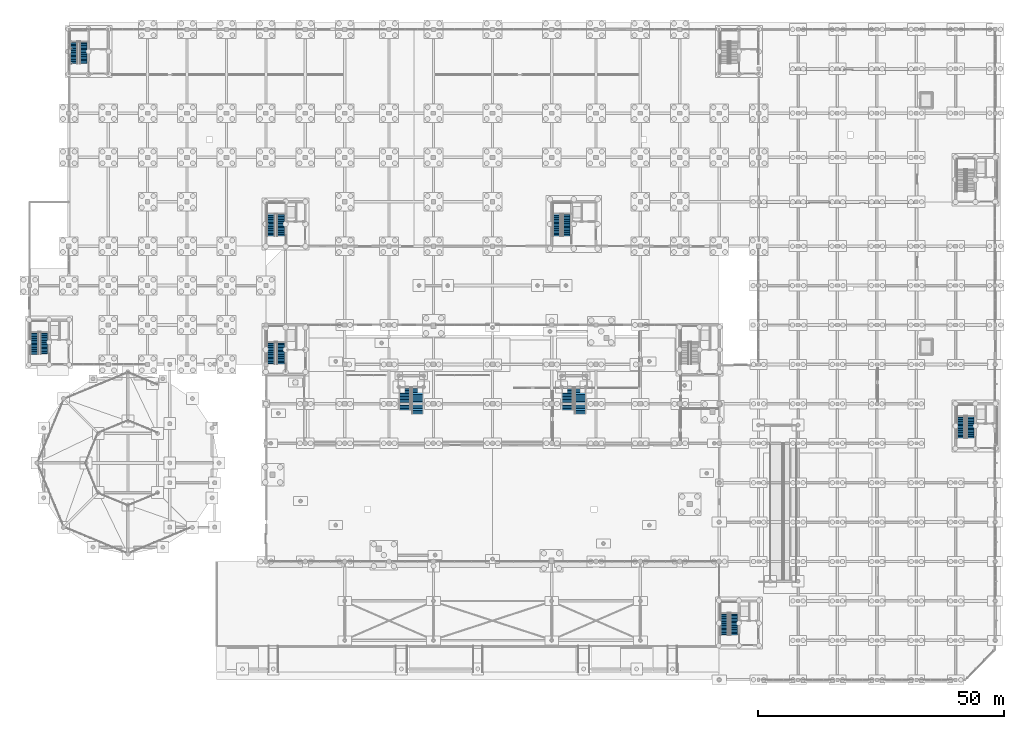
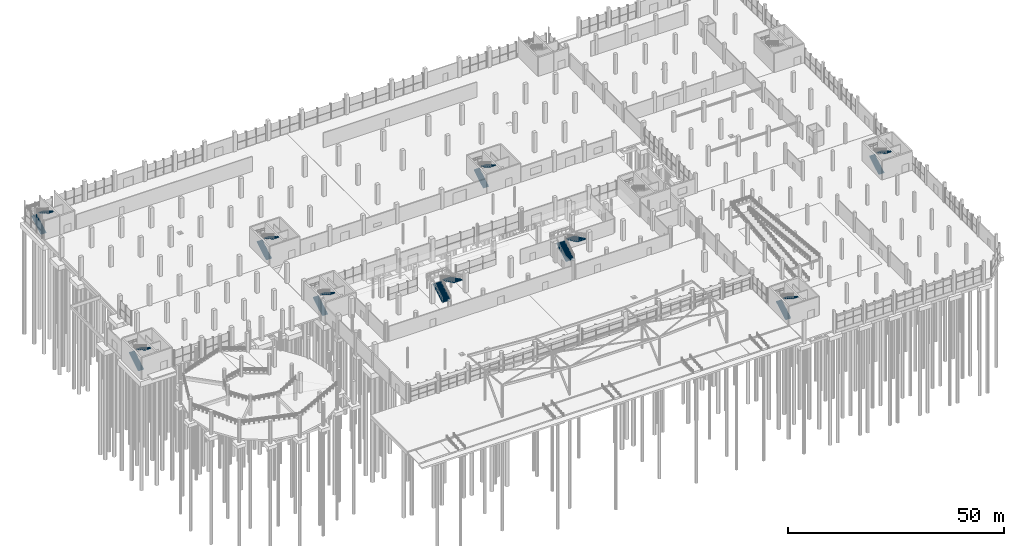
# One storey, part 86 of 98: 18 stair flights, 9 elements without a shape of their own.
"""IFC4 building model written with IfcOpenShell, lengths in metres."""

from ifc_helpers import new_model, si_unit, derived_unit, direction, frame, origin, place, context, subcontext, project, spatial, polyline, outline, extrude, material, type_object, element, aggregate, save


model = new_model("IFC4")

# Units and contexts
model_context = context("Model", 3, precision=1e-05, world=origin(), true_north=direction((0.0, 1.0)))
body_context = subcontext(model_context, "Body", "Model", "MODEL_VIEW")
ifc_project = project(units=[si_unit("LENGTHUNIT", "METRE"), si_unit("AREAUNIT", "SQUARE_METRE"), si_unit("VOLUMEUNIT", "CUBIC_METRE"), si_unit("PLANEANGLEUNIT", "RADIAN"), si_unit("MASSUNIT", "GRAM", prefix="KILO"), si_unit("THERMODYNAMICTEMPERATUREUNIT", "KELVIN"), derived_unit("THERMALTRANSMITTANCEUNIT", [(si_unit("POWERUNIT", "WATT"), 1), (si_unit("AREAUNIT", "SQUARE_METRE"), -1), (si_unit("THERMODYNAMICTEMPERATUREUNIT", "KELVIN"), -1)])], contexts=[model_context])

# Site, building, storey
site_placement = place(None, origin())
site = spatial("IfcSite", under=ifc_project, at=site_placement, CompositionType="ELEMENT")
building_placement = place(site_placement, origin())
building = spatial("IfcBuilding", under=site, at=building_placement, Name="Haiyu Intermodal Mobility Hub", CompositionType="ELEMENT")
storey_placement = place(building_placement, origin())
storey = spatial("IfcBuildingStorey", under=building, at=storey_placement, Name="L00", CompositionType="ELEMENT", Elevation=0.0)

# Stair, stair flights
ifc_material = material(Name="Concrete C40", Category="concrete")
stair_type_1 = type_object("IfcStairType", Name="STR-ST01", PredefinedType="HALF_TURN_STAIR", material=ifc_material)
stair_1_placement = place(storey_placement, origin())
stair_1 = element("IfcStair", 1, at=stair_1_placement, inside=storey, type_object=stair_type_1, Name="Exit Stair ST01 L00", PredefinedType="HALF_TURN_STAIR")
stair_flight_type_1 = type_object("IfcStairFlightType", Name="SFL-ST01", PredefinedType="STRAIGHT", material=ifc_material)
stair_flight_1_placement = place(storey_placement, frame((63.090087890625, 80.050048828125, 0.0), z_axis=(0.0, 0.0, 1.0), x_axis=(0.0, 1.0, 0.0)))
stair_flight_1 = element("IfcStairFlight", 2, at=stair_flight_1_placement, type_object=stair_flight_type_1, Name="Stair Flight STR-C1-L00-F1", NumberOfRisers=17, NumberOfTreads=16, PredefinedType="STRAIGHT", RiserHeight=0.16471, TreadLength=0.28, context=body_context, shape_type="SweptSolid", body=[
    extrude(outline(polyline([(0.0, 0.0), (0.0, 0.164794921875), (0.280029296875, 0.164794921875), (0.280029296875, 0.329345703125), (0.56005859375, 0.329345703125), (0.56005859375, 0.494140625), (0.840087890625, 0.494140625), (0.840087890625, 0.658935546875), (1.1201171875, 0.658935546875), (1.1201171875, 0.823486328125), (1.39990234375, 0.823486328125), (1.39990234375, 0.98828125), (1.679931640625, 0.98828125), (1.679931640625, 1.153076171875), (1.9599609375, 1.153076171875), (1.9599609375, 1.317626953125), (2.239990234375, 1.317626953125), (2.239990234375, 1.482421875), (2.52001953125, 1.482421875), (2.52001953125, 1.647216796875), (2.800048828125, 1.647216796875), (2.800048828125, 1.811767578125), (3.080078125, 1.811767578125), (3.080078125, 1.9765625), (3.360107421875, 1.9765625), (3.360107421875, 2.14111328125), (3.639892578125, 2.14111328125), (3.639892578125, 2.305908203125), (3.919921875, 2.305908203125), (3.919921875, 2.470703125), (4.199951171875, 2.470703125), (4.199951171875, 2.63525390625), (4.47998046875, 2.63525390625), (4.47998046875, 2.800048828125), (4.47998046875, 2.426513671875), (0.35498046875, 0.0), (0.0, 0.0)])), frame((0.0, 0.72998046875, 0.0), z_axis=(0.0, -1.0, 0.0), x_axis=(1.0, 0.0, 0.0)), (0.0, 0.0, 1.0), 1.4599609375),
])
stair_flight_2_placement = place(storey_placement, frame((65.0, 84.56005859375, 2.800048828125), z_axis=(0.0, 0.0, 1.0), x_axis=(0.0, -1.0, 0.0)))
stair_flight_2 = element("IfcStairFlight", 3, at=stair_flight_2_placement, type_object=stair_flight_type_1, Name="Stair Flight STR-C1-L00-F2", NumberOfRisers=17, NumberOfTreads=16, PredefinedType="STRAIGHT", RiserHeight=0.16471, TreadLength=0.28063, context=body_context, shape_type="SweptSolid", body=[
    extrude(outline(polyline([(0.0, 0.0), (0.0, 0.164794921875), (0.280517578125, 0.164794921875), (0.280517578125, 0.329345703125), (0.561279296875, 0.329345703125), (0.561279296875, 0.494140625), (0.841796875, 0.494140625), (0.841796875, 0.658935546875), (1.12255859375, 0.658935546875), (1.12255859375, 0.823486328125), (1.403076171875, 0.823486328125), (1.403076171875, 0.98828125), (1.683837890625, 0.98828125), (1.683837890625, 1.153076171875), (1.96435546875, 1.153076171875), (1.96435546875, 1.317626953125), (2.2451171875, 1.317626953125), (2.2451171875, 1.482421875), (2.525634765625, 1.482421875), (2.525634765625, 1.647216796875), (2.806396484375, 1.647216796875), (2.806396484375, 1.811767578125), (3.0869140625, 1.811767578125), (3.0869140625, 1.9765625), (3.36767578125, 1.9765625), (3.36767578125, 2.14111328125), (3.648193359375, 2.14111328125), (3.648193359375, 2.305908203125), (3.9287109375, 2.305908203125), (3.9287109375, 2.470703125), (4.20947265625, 2.470703125), (4.20947265625, 2.63525390625), (4.489990234375, 2.63525390625), (4.489990234375, 2.800048828125), (4.489990234375, 2.4267578125), (0.35546875, 0.0), (0.0, 0.0)])), frame((0.0, 0.72998046875, 0.0), z_axis=(0.0, -1.0, 0.0), x_axis=(1.0, 0.0, 0.0)), (0.0, 0.0, 1.0), 1.4599609375),
])
aggregate(stair_1, [stair_flight_1, stair_flight_2])

stair_2_placement = place(storey_placement, origin())
stair_2 = element("IfcStair", 4, at=stair_2_placement, inside=storey, type_object=stair_type_1, Name="Exit Stair ST02 L00", PredefinedType="HALF_TURN_STAIR")
stair_flight_3_placement = place(storey_placement, frame((23.090087890625, 141.050048828125, 0.0), z_axis=(0.0, 0.0, 1.0), x_axis=(0.0, 1.0, 0.0)))
stair_flight_3 = element("IfcStairFlight", 5, at=stair_flight_3_placement, type_object=stair_flight_type_1, Name="Stair Flight STR-C3-L00-F1", NumberOfRisers=17, NumberOfTreads=16, PredefinedType="STRAIGHT", RiserHeight=0.16471, TreadLength=0.28, context=body_context, shape_type="SweptSolid", body=[
    extrude(outline(polyline([(0.0, 0.0), (0.0, 0.164794921875), (0.280029296875, 0.164794921875), (0.280029296875, 0.329345703125), (0.56005859375, 0.329345703125), (0.56005859375, 0.494140625), (0.840087890625, 0.494140625), (0.840087890625, 0.658935546875), (1.1201171875, 0.658935546875), (1.1201171875, 0.823486328125), (1.39990234375, 0.823486328125), (1.39990234375, 0.98828125), (1.679931640625, 0.98828125), (1.679931640625, 1.153076171875), (1.9599609375, 1.153076171875), (1.9599609375, 1.317626953125), (2.239990234375, 1.317626953125), (2.239990234375, 1.482421875), (2.52001953125, 1.482421875), (2.52001953125, 1.647216796875), (2.800048828125, 1.647216796875), (2.800048828125, 1.811767578125), (3.080078125, 1.811767578125), (3.080078125, 1.9765625), (3.360107421875, 1.9765625), (3.360107421875, 2.14111328125), (3.639892578125, 2.14111328125), (3.639892578125, 2.305908203125), (3.919921875, 2.305908203125), (3.919921875, 2.470703125), (4.199951171875, 2.470703125), (4.199951171875, 2.63525390625), (4.47998046875, 2.63525390625), (4.47998046875, 2.800048828125), (4.47998046875, 2.426513671875), (0.35498046875, 0.0), (0.0, 0.0)])), frame((0.0, 0.72998046875, 0.0), z_axis=(0.0, -1.0, 0.0), x_axis=(1.0, 0.0, 0.0)), (0.0, 0.0, 1.0), 1.4599609375),
])
stair_flight_4_placement = place(storey_placement, frame((25.0, 145.56005859375, 2.800048828125), z_axis=(0.0, 0.0, 1.0), x_axis=(0.0, -1.0, 0.0)))
stair_flight_4 = element("IfcStairFlight", 6, at=stair_flight_4_placement, type_object=stair_flight_type_1, Name="Stair Flight STR-C3-L00-F2", NumberOfRisers=17, NumberOfTreads=16, PredefinedType="STRAIGHT", RiserHeight=0.16471, TreadLength=0.28063, context=body_context, shape_type="SweptSolid", body=[
    extrude(outline(polyline([(0.0, 0.0), (0.0, 0.164794921875), (0.280517578125, 0.164794921875), (0.280517578125, 0.329345703125), (0.561279296875, 0.329345703125), (0.561279296875, 0.494140625), (0.841796875, 0.494140625), (0.841796875, 0.658935546875), (1.12255859375, 0.658935546875), (1.12255859375, 0.823486328125), (1.403076171875, 0.823486328125), (1.403076171875, 0.98828125), (1.683837890625, 0.98828125), (1.683837890625, 1.153076171875), (1.96435546875, 1.153076171875), (1.96435546875, 1.317626953125), (2.2451171875, 1.317626953125), (2.2451171875, 1.482421875), (2.525634765625, 1.482421875), (2.525634765625, 1.647216796875), (2.806396484375, 1.647216796875), (2.806396484375, 1.811767578125), (3.0869140625, 1.811767578125), (3.0869140625, 1.9765625), (3.36767578125, 1.9765625), (3.36767578125, 2.14111328125), (3.648193359375, 2.14111328125), (3.648193359375, 2.305908203125), (3.9287109375, 2.305908203125), (3.9287109375, 2.470703125), (4.20947265625, 2.470703125), (4.20947265625, 2.63525390625), (4.489990234375, 2.63525390625), (4.489990234375, 2.800048828125), (4.489990234375, 2.4267578125), (0.35546875, 0.0), (0.0, 0.0)])), frame((0.0, 0.72998046875, 0.0), z_axis=(0.0, -1.0, 0.0), x_axis=(1.0, 0.0, 0.0)), (0.0, 0.0, 1.0), 1.4599609375),
])
aggregate(stair_2, [stair_flight_3, stair_flight_4])

stair_3_placement = place(storey_placement, origin())
stair_3 = element("IfcStair", 7, at=stair_3_placement, inside=storey, type_object=stair_type_1, Name="Exit Stair ST01 L00", PredefinedType="HALF_TURN_STAIR")
stair_flight_5_placement = place(storey_placement, frame((63.090087890625, 106.050048828125, 0.0), z_axis=(0.0, 0.0, 1.0), x_axis=(0.0, 1.0, 0.0)))
stair_flight_5 = element("IfcStairFlight", 8, at=stair_flight_5_placement, type_object=stair_flight_type_1, Name="Stair Flight STR-C5-L00-F1", NumberOfRisers=17, NumberOfTreads=16, PredefinedType="STRAIGHT", RiserHeight=0.16471, TreadLength=0.28, context=body_context, shape_type="SweptSolid", body=[
    extrude(outline(polyline([(0.0, 0.0), (0.0, 0.164794921875), (0.280029296875, 0.164794921875), (0.280029296875, 0.329345703125), (0.56005859375, 0.329345703125), (0.56005859375, 0.494140625), (0.840087890625, 0.494140625), (0.840087890625, 0.658935546875), (1.1201171875, 0.658935546875), (1.1201171875, 0.823486328125), (1.39990234375, 0.823486328125), (1.39990234375, 0.98828125), (1.679931640625, 0.98828125), (1.679931640625, 1.153076171875), (1.9599609375, 1.153076171875), (1.9599609375, 1.317626953125), (2.239990234375, 1.317626953125), (2.239990234375, 1.482421875), (2.52001953125, 1.482421875), (2.52001953125, 1.647216796875), (2.800048828125, 1.647216796875), (2.800048828125, 1.811767578125), (3.080078125, 1.811767578125), (3.080078125, 1.9765625), (3.360107421875, 1.9765625), (3.360107421875, 2.14111328125), (3.639892578125, 2.14111328125), (3.639892578125, 2.305908203125), (3.919921875, 2.305908203125), (3.919921875, 2.470703125), (4.199951171875, 2.470703125), (4.199951171875, 2.63525390625), (4.47998046875, 2.63525390625), (4.47998046875, 2.800048828125), (4.47998046875, 2.426513671875), (0.35498046875, 0.0), (0.0, 0.0)])), frame((0.0, 0.72998046875, 0.0), z_axis=(0.0, -1.0, 0.0), x_axis=(1.0, 0.0, 0.0)), (0.0, 0.0, 1.0), 1.4599609375),
])
stair_flight_6_placement = place(storey_placement, frame((65.0, 110.56005859375, 2.800048828125), z_axis=(0.0, 0.0, 1.0), x_axis=(0.0, -1.0, 0.0)))
stair_flight_6 = element("IfcStairFlight", 9, at=stair_flight_6_placement, type_object=stair_flight_type_1, Name="Stair Flight STR-C5-L00-F2", NumberOfRisers=17, NumberOfTreads=16, PredefinedType="STRAIGHT", RiserHeight=0.16471, TreadLength=0.28063, context=body_context, shape_type="SweptSolid", body=[
    extrude(outline(polyline([(0.0, 0.0), (0.0, 0.164794921875), (0.280517578125, 0.164794921875), (0.280517578125, 0.329345703125), (0.561279296875, 0.329345703125), (0.561279296875, 0.494140625), (0.841796875, 0.494140625), (0.841796875, 0.658935546875), (1.12255859375, 0.658935546875), (1.12255859375, 0.823486328125), (1.403076171875, 0.823486328125), (1.403076171875, 0.98828125), (1.683837890625, 0.98828125), (1.683837890625, 1.153076171875), (1.96435546875, 1.153076171875), (1.96435546875, 1.317626953125), (2.2451171875, 1.317626953125), (2.2451171875, 1.482421875), (2.525634765625, 1.482421875), (2.525634765625, 1.647216796875), (2.806396484375, 1.647216796875), (2.806396484375, 1.811767578125), (3.0869140625, 1.811767578125), (3.0869140625, 1.9765625), (3.36767578125, 1.9765625), (3.36767578125, 2.14111328125), (3.648193359375, 2.14111328125), (3.648193359375, 2.305908203125), (3.9287109375, 2.305908203125), (3.9287109375, 2.470703125), (4.20947265625, 2.470703125), (4.20947265625, 2.63525390625), (4.489990234375, 2.63525390625), (4.489990234375, 2.800048828125), (4.489990234375, 2.4267578125), (0.35546875, 0.0), (0.0, 0.0)])), frame((0.0, 0.72998046875, 0.0), z_axis=(0.0, -1.0, 0.0), x_axis=(1.0, 0.0, 0.0)), (0.0, 0.0, 1.0), 1.4599609375),
])
aggregate(stair_3, [stair_flight_5, stair_flight_6])

stair_4_placement = place(storey_placement, origin())
stair_4 = element("IfcStair", 10, at=stair_4_placement, inside=storey, type_object=stair_type_1, Name="Exit Stair ST01 L00", PredefinedType="HALF_TURN_STAIR")
stair_flight_7_placement = place(storey_placement, frame((121.090087890625, 106.050048828125, 0.0), z_axis=(0.0, 0.0, 1.0), x_axis=(0.0, 1.0, 0.0)))
stair_flight_7 = element("IfcStairFlight", 11, at=stair_flight_7_placement, type_object=stair_flight_type_1, Name="Stair Flight STR-C6-L00-F1", NumberOfRisers=17, NumberOfTreads=16, PredefinedType="STRAIGHT", RiserHeight=0.16471, TreadLength=0.28, context=body_context, shape_type="SweptSolid", body=[
    extrude(outline(polyline([(0.0, 0.0), (0.0, 0.164794921875), (0.280029296875, 0.164794921875), (0.280029296875, 0.329345703125), (0.56005859375, 0.329345703125), (0.56005859375, 0.494140625), (0.840087890625, 0.494140625), (0.840087890625, 0.658935546875), (1.1201171875, 0.658935546875), (1.1201171875, 0.823486328125), (1.39990234375, 0.823486328125), (1.39990234375, 0.98828125), (1.679931640625, 0.98828125), (1.679931640625, 1.153076171875), (1.9599609375, 1.153076171875), (1.9599609375, 1.317626953125), (2.239990234375, 1.317626953125), (2.239990234375, 1.482421875), (2.52001953125, 1.482421875), (2.52001953125, 1.647216796875), (2.800048828125, 1.647216796875), (2.800048828125, 1.811767578125), (3.080078125, 1.811767578125), (3.080078125, 1.9765625), (3.360107421875, 1.9765625), (3.360107421875, 2.14111328125), (3.639892578125, 2.14111328125), (3.639892578125, 2.305908203125), (3.919921875, 2.305908203125), (3.919921875, 2.470703125), (4.199951171875, 2.470703125), (4.199951171875, 2.63525390625), (4.47998046875, 2.63525390625), (4.47998046875, 2.800048828125), (4.47998046875, 2.426513671875), (0.35498046875, 0.0), (0.0, 0.0)])), frame((0.0, 0.72998046875, 0.0), z_axis=(0.0, -1.0, 0.0), x_axis=(1.0, 0.0, 0.0)), (0.0, 0.0, 1.0), 1.4599609375),
])
stair_flight_8_placement = place(storey_placement, frame((123.0, 110.56005859375, 2.800048828125), z_axis=(0.0, 0.0, 1.0), x_axis=(0.0, -1.0, 0.0)))
stair_flight_8 = element("IfcStairFlight", 12, at=stair_flight_8_placement, type_object=stair_flight_type_1, Name="Stair Flight STR-C6-L00-F2", NumberOfRisers=17, NumberOfTreads=16, PredefinedType="STRAIGHT", RiserHeight=0.16471, TreadLength=0.28063, context=body_context, shape_type="SweptSolid", body=[
    extrude(outline(polyline([(0.0, 0.0), (0.0, 0.164794921875), (0.280517578125, 0.164794921875), (0.280517578125, 0.329345703125), (0.561279296875, 0.329345703125), (0.561279296875, 0.494140625), (0.841796875, 0.494140625), (0.841796875, 0.658935546875), (1.12255859375, 0.658935546875), (1.12255859375, 0.823486328125), (1.403076171875, 0.823486328125), (1.403076171875, 0.98828125), (1.683837890625, 0.98828125), (1.683837890625, 1.153076171875), (1.96435546875, 1.153076171875), (1.96435546875, 1.317626953125), (2.2451171875, 1.317626953125), (2.2451171875, 1.482421875), (2.525634765625, 1.482421875), (2.525634765625, 1.647216796875), (2.806396484375, 1.647216796875), (2.806396484375, 1.811767578125), (3.0869140625, 1.811767578125), (3.0869140625, 1.9765625), (3.36767578125, 1.9765625), (3.36767578125, 2.14111328125), (3.648193359375, 2.14111328125), (3.648193359375, 2.305908203125), (3.9287109375, 2.305908203125), (3.9287109375, 2.470703125), (4.20947265625, 2.470703125), (4.20947265625, 2.63525390625), (4.489990234375, 2.63525390625), (4.489990234375, 2.800048828125), (4.489990234375, 2.4267578125), (0.35546875, 0.0), (0.0, 0.0)])), frame((0.0, 0.72998046875, 0.0), z_axis=(0.0, -1.0, 0.0), x_axis=(1.0, 0.0, 0.0)), (0.0, 0.0, 1.0), 1.4599609375),
])
aggregate(stair_4, [stair_flight_7, stair_flight_8])

stair_5_placement = place(storey_placement, origin())
stair_5 = element("IfcStair", 13, at=stair_5_placement, inside=storey, type_object=stair_type_1, Name="Exit Stair ST02 L00", PredefinedType="HALF_TURN_STAIR")
stair_flight_9_placement = place(storey_placement, frame((15.090087890625, 82.050048828125, 0.0), z_axis=(0.0, 0.0, 1.0), x_axis=(0.0, 1.0, 0.0)))
stair_flight_9 = element("IfcStairFlight", 14, at=stair_flight_9_placement, type_object=stair_flight_type_1, Name="Stair Flight STR-C7-L00-F1", NumberOfRisers=17, NumberOfTreads=16, PredefinedType="STRAIGHT", RiserHeight=0.16471, TreadLength=0.28, context=body_context, shape_type="SweptSolid", body=[
    extrude(outline(polyline([(0.0, 0.0), (0.0, 0.164794921875), (0.280029296875, 0.164794921875), (0.280029296875, 0.329345703125), (0.56005859375, 0.329345703125), (0.56005859375, 0.494140625), (0.840087890625, 0.494140625), (0.840087890625, 0.658935546875), (1.1201171875, 0.658935546875), (1.1201171875, 0.823486328125), (1.39990234375, 0.823486328125), (1.39990234375, 0.98828125), (1.679931640625, 0.98828125), (1.679931640625, 1.153076171875), (1.9599609375, 1.153076171875), (1.9599609375, 1.317626953125), (2.239990234375, 1.317626953125), (2.239990234375, 1.482421875), (2.52001953125, 1.482421875), (2.52001953125, 1.647216796875), (2.800048828125, 1.647216796875), (2.800048828125, 1.811767578125), (3.080078125, 1.811767578125), (3.080078125, 1.9765625), (3.360107421875, 1.9765625), (3.360107421875, 2.14111328125), (3.639892578125, 2.14111328125), (3.639892578125, 2.305908203125), (3.919921875, 2.305908203125), (3.919921875, 2.470703125), (4.199951171875, 2.470703125), (4.199951171875, 2.63525390625), (4.47998046875, 2.63525390625), (4.47998046875, 2.800048828125), (4.47998046875, 2.426513671875), (0.35498046875, 0.0), (0.0, 0.0)])), frame((0.0, 0.72998046875, 0.0), z_axis=(0.0, -1.0, 0.0), x_axis=(1.0, 0.0, 0.0)), (0.0, 0.0, 1.0), 1.4599609375),
])
stair_flight_10_placement = place(storey_placement, frame((17.0, 86.56005859375, 2.800048828125), z_axis=(0.0, 0.0, 1.0), x_axis=(0.0, -1.0, 0.0)))
stair_flight_10 = element("IfcStairFlight", 15, at=stair_flight_10_placement, type_object=stair_flight_type_1, Name="Stair Flight STR-C7-L00-F2", NumberOfRisers=17, NumberOfTreads=16, PredefinedType="STRAIGHT", RiserHeight=0.16471, TreadLength=0.28063, context=body_context, shape_type="SweptSolid", body=[
    extrude(outline(polyline([(0.0, 0.0), (0.0, 0.164794921875), (0.280517578125, 0.164794921875), (0.280517578125, 0.329345703125), (0.561279296875, 0.329345703125), (0.561279296875, 0.494140625), (0.841796875, 0.494140625), (0.841796875, 0.658935546875), (1.12255859375, 0.658935546875), (1.12255859375, 0.823486328125), (1.403076171875, 0.823486328125), (1.403076171875, 0.98828125), (1.683837890625, 0.98828125), (1.683837890625, 1.153076171875), (1.96435546875, 1.153076171875), (1.96435546875, 1.317626953125), (2.2451171875, 1.317626953125), (2.2451171875, 1.482421875), (2.525634765625, 1.482421875), (2.525634765625, 1.647216796875), (2.806396484375, 1.647216796875), (2.806396484375, 1.811767578125), (3.0869140625, 1.811767578125), (3.0869140625, 1.9765625), (3.36767578125, 1.9765625), (3.36767578125, 2.14111328125), (3.648193359375, 2.14111328125), (3.648193359375, 2.305908203125), (3.9287109375, 2.305908203125), (3.9287109375, 2.470703125), (4.20947265625, 2.470703125), (4.20947265625, 2.63525390625), (4.489990234375, 2.63525390625), (4.489990234375, 2.800048828125), (4.489990234375, 2.4267578125), (0.35546875, 0.0), (0.0, 0.0)])), frame((0.0, 0.72998046875, 0.0), z_axis=(0.0, -1.0, 0.0), x_axis=(1.0, 0.0, 0.0)), (0.0, 0.0, 1.0), 1.4599609375),
])
aggregate(stair_5, [stair_flight_9, stair_flight_10])

stair_6_placement = place(storey_placement, origin())
stair_6 = element("IfcStair", 16, at=stair_6_placement, inside=storey, type_object=stair_type_1, Name="Exit Stair ST02 L00", PredefinedType="HALF_TURN_STAIR")
stair_flight_11_placement = place(storey_placement, frame((155.090087890625, 25.050048828125, 0.0), z_axis=(0.0, 0.0, 1.0), x_axis=(0.0, 1.0, 0.0)))
stair_flight_11 = element("IfcStairFlight", 17, at=stair_flight_11_placement, type_object=stair_flight_type_1, Name="Stair Flight STR-C8-L00-F1", NumberOfRisers=17, NumberOfTreads=16, PredefinedType="STRAIGHT", RiserHeight=0.16471, TreadLength=0.28, context=body_context, shape_type="SweptSolid", body=[
    extrude(outline(polyline([(0.0, 0.0), (0.0, 0.164794921875), (0.280029296875, 0.164794921875), (0.280029296875, 0.329345703125), (0.56005859375, 0.329345703125), (0.56005859375, 0.494140625), (0.840087890625, 0.494140625), (0.840087890625, 0.658935546875), (1.1201171875, 0.658935546875), (1.1201171875, 0.823486328125), (1.39990234375, 0.823486328125), (1.39990234375, 0.98828125), (1.679931640625, 0.98828125), (1.679931640625, 1.153076171875), (1.9599609375, 1.153076171875), (1.9599609375, 1.317626953125), (2.239990234375, 1.317626953125), (2.239990234375, 1.482421875), (2.52001953125, 1.482421875), (2.52001953125, 1.647216796875), (2.800048828125, 1.647216796875), (2.800048828125, 1.811767578125), (3.080078125, 1.811767578125), (3.080078125, 1.9765625), (3.360107421875, 1.9765625), (3.360107421875, 2.14111328125), (3.639892578125, 2.14111328125), (3.639892578125, 2.305908203125), (3.919921875, 2.305908203125), (3.919921875, 2.470703125), (4.199951171875, 2.470703125), (4.199951171875, 2.63525390625), (4.47998046875, 2.63525390625), (4.47998046875, 2.800048828125), (4.47998046875, 2.426513671875), (0.35498046875, 0.0), (0.0, 0.0)])), frame((0.0, 0.72998046875, 0.0), z_axis=(0.0, -1.0, 0.0), x_axis=(1.0, 0.0, 0.0)), (0.0, 0.0, 1.0), 1.4599609375),
])
stair_flight_12_placement = place(storey_placement, frame((157.0, 29.56005859375, 2.800048828125), z_axis=(0.0, 0.0, 1.0), x_axis=(0.0, -1.0, 0.0)))
stair_flight_12 = element("IfcStairFlight", 18, at=stair_flight_12_placement, type_object=stair_flight_type_1, Name="Stair Flight STR-C8-L00-F2", NumberOfRisers=17, NumberOfTreads=16, PredefinedType="STRAIGHT", RiserHeight=0.16471, TreadLength=0.28063, context=body_context, shape_type="SweptSolid", body=[
    extrude(outline(polyline([(0.0, 0.0), (0.0, 0.164794921875), (0.280517578125, 0.164794921875), (0.280517578125, 0.329345703125), (0.561279296875, 0.329345703125), (0.561279296875, 0.494140625), (0.841796875, 0.494140625), (0.841796875, 0.658935546875), (1.12255859375, 0.658935546875), (1.12255859375, 0.823486328125), (1.403076171875, 0.823486328125), (1.403076171875, 0.98828125), (1.683837890625, 0.98828125), (1.683837890625, 1.153076171875), (1.96435546875, 1.153076171875), (1.96435546875, 1.317626953125), (2.2451171875, 1.317626953125), (2.2451171875, 1.482421875), (2.525634765625, 1.482421875), (2.525634765625, 1.647216796875), (2.806396484375, 1.647216796875), (2.806396484375, 1.811767578125), (3.0869140625, 1.811767578125), (3.0869140625, 1.9765625), (3.36767578125, 1.9765625), (3.36767578125, 2.14111328125), (3.648193359375, 2.14111328125), (3.648193359375, 2.305908203125), (3.9287109375, 2.305908203125), (3.9287109375, 2.470703125), (4.20947265625, 2.470703125), (4.20947265625, 2.63525390625), (4.489990234375, 2.63525390625), (4.489990234375, 2.800048828125), (4.489990234375, 2.4267578125), (0.35546875, 0.0), (0.0, 0.0)])), frame((0.0, 0.72998046875, 0.0), z_axis=(0.0, -1.0, 0.0), x_axis=(1.0, 0.0, 0.0)), (0.0, 0.0, 1.0), 1.4599609375),
])
aggregate(stair_6, [stair_flight_11, stair_flight_12])

stair_7_placement = place(storey_placement, origin())
stair_7 = element("IfcStair", 19, at=stair_7_placement, inside=storey, type_object=stair_type_1, Name="Exit Stair ST03 L00", PredefinedType="HALF_TURN_STAIR")
stair_flight_13_placement = place(storey_placement, frame((203.090087890625, 65.050048828125, 0.0), z_axis=(0.0, 0.0, 1.0), x_axis=(0.0, 1.0, 0.0)))
stair_flight_13 = element("IfcStairFlight", 20, at=stair_flight_13_placement, type_object=stair_flight_type_1, Name="Stair Flight STR-C9-L00-F1", NumberOfRisers=17, NumberOfTreads=16, PredefinedType="STRAIGHT", RiserHeight=0.16471, TreadLength=0.28, context=body_context, shape_type="SweptSolid", body=[
    extrude(outline(polyline([(0.0, 0.0), (0.0, 0.164794921875), (0.280029296875, 0.164794921875), (0.280029296875, 0.329345703125), (0.56005859375, 0.329345703125), (0.56005859375, 0.494140625), (0.840087890625, 0.494140625), (0.840087890625, 0.658935546875), (1.1201171875, 0.658935546875), (1.1201171875, 0.823486328125), (1.39990234375, 0.823486328125), (1.39990234375, 0.98828125), (1.679931640625, 0.98828125), (1.679931640625, 1.153076171875), (1.9599609375, 1.153076171875), (1.9599609375, 1.317626953125), (2.239990234375, 1.317626953125), (2.239990234375, 1.482421875), (2.52001953125, 1.482421875), (2.52001953125, 1.647216796875), (2.800048828125, 1.647216796875), (2.800048828125, 1.811767578125), (3.080078125, 1.811767578125), (3.080078125, 1.9765625), (3.360107421875, 1.9765625), (3.360107421875, 2.14111328125), (3.639892578125, 2.14111328125), (3.639892578125, 2.305908203125), (3.919921875, 2.305908203125), (3.919921875, 2.470703125), (4.199951171875, 2.470703125), (4.199951171875, 2.63525390625), (4.47998046875, 2.63525390625), (4.47998046875, 2.800048828125), (4.47998046875, 2.426513671875), (0.35498046875, 0.0), (0.0, 0.0)])), frame((0.0, 0.72998046875, 0.0), z_axis=(0.0, -1.0, 0.0), x_axis=(1.0, 0.0, 0.0)), (0.0, 0.0, 1.0), 1.4599609375),
])
stair_flight_14_placement = place(storey_placement, frame((205.0, 69.56005859375, 2.800048828125), z_axis=(0.0, 0.0, 1.0), x_axis=(0.0, -1.0, 0.0)))
stair_flight_14 = element("IfcStairFlight", 21, at=stair_flight_14_placement, type_object=stair_flight_type_1, Name="Stair Flight STR-C9-L00-F2", NumberOfRisers=17, NumberOfTreads=16, PredefinedType="STRAIGHT", RiserHeight=0.16471, TreadLength=0.28063, context=body_context, shape_type="SweptSolid", body=[
    extrude(outline(polyline([(0.0, 0.0), (0.0, 0.164794921875), (0.280517578125, 0.164794921875), (0.280517578125, 0.329345703125), (0.561279296875, 0.329345703125), (0.561279296875, 0.494140625), (0.841796875, 0.494140625), (0.841796875, 0.658935546875), (1.12255859375, 0.658935546875), (1.12255859375, 0.823486328125), (1.403076171875, 0.823486328125), (1.403076171875, 0.98828125), (1.683837890625, 0.98828125), (1.683837890625, 1.153076171875), (1.96435546875, 1.153076171875), (1.96435546875, 1.317626953125), (2.2451171875, 1.317626953125), (2.2451171875, 1.482421875), (2.525634765625, 1.482421875), (2.525634765625, 1.647216796875), (2.806396484375, 1.647216796875), (2.806396484375, 1.811767578125), (3.0869140625, 1.811767578125), (3.0869140625, 1.9765625), (3.36767578125, 1.9765625), (3.36767578125, 2.14111328125), (3.648193359375, 2.14111328125), (3.648193359375, 2.305908203125), (3.9287109375, 2.305908203125), (3.9287109375, 2.470703125), (4.20947265625, 2.470703125), (4.20947265625, 2.63525390625), (4.489990234375, 2.63525390625), (4.489990234375, 2.800048828125), (4.489990234375, 2.4267578125), (0.35546875, 0.0), (0.0, 0.0)])), frame((0.0, 0.72998046875, 0.0), z_axis=(0.0, -1.0, 0.0), x_axis=(1.0, 0.0, 0.0)), (0.0, 0.0, 1.0), 1.4599609375),
])
aggregate(stair_7, [stair_flight_13, stair_flight_14])

stair_type_2 = type_object("IfcStairType", Name="STR-ST04", PredefinedType="STRAIGHT_RUN_STAIR", material=ifc_material)
stair_8_placement = place(storey_placement, origin())
stair_8 = element("IfcStair", 22, at=stair_8_placement, inside=storey, type_object=stair_type_2, Name="Concourse Feature Stair 01", PredefinedType="STRAIGHT_RUN_STAIR")
stair_flight_type_2 = type_object("IfcStairFlightType", Name="SFL-ST04", PredefinedType="STRAIGHT", material=ifc_material)
stair_flight_15_placement = place(storey_placement, frame((90.199951171875, 70.800048828125, 0.0), z_axis=(0.0, 0.0, 1.0), x_axis=(0.0, 1.0, 0.0)))
stair_flight_15 = element("IfcStairFlight", 23, at=stair_flight_15_placement, type_object=stair_flight_type_2, Name="STR-CONC-01-F1", NumberOfRisers=16, NumberOfTreads=15, PredefinedType="STRAIGHT", RiserHeight=0.175, TreadLength=0.3, context=body_context, shape_type="SweptSolid", body=[
    extrude(outline(polyline([(0.0, 0.0), (0.0, 0.175048828125), (0.300048828125, 0.175048828125), (0.300048828125, 0.35009765625), (0.60009765625, 0.35009765625), (0.60009765625, 0.52490234375), (0.89990234375, 0.52490234375), (0.89990234375, 0.699951171875), (1.199951171875, 0.699951171875), (1.199951171875, 0.875), (1.5, 0.875), (1.5, 1.050048828125), (1.800048828125, 1.050048828125), (1.800048828125, 1.22509765625), (2.10009765625, 1.22509765625), (2.10009765625, 1.39990234375), (2.39990234375, 1.39990234375), (2.39990234375, 1.574951171875), (2.699951171875, 1.574951171875), (2.699951171875, 1.75), (3.0, 1.75), (3.0, 1.925048828125), (3.300048828125, 1.925048828125), (3.300048828125, 2.10009765625), (3.60009765625, 2.10009765625), (3.60009765625, 2.27490234375), (3.89990234375, 2.27490234375), (3.89990234375, 2.449951171875), (4.199951171875, 2.449951171875), (4.199951171875, 2.625), (4.5, 2.625), (4.5, 2.800048828125), (4.5, 2.370361328125), (0.4365234375, 0.0), (0.0, 0.0)])), frame((0.0, 1.10009765625, 0.0), z_axis=(0.0, -1.0, 0.0), x_axis=(1.0, 0.0, 0.0)), (0.0, 0.0, 1.0), 2.199951171875),
])
stair_flight_16_placement = place(storey_placement, frame((92.800048828125, 75.35009765625, 2.800048828125), z_axis=(0.0, 0.0, 1.0), x_axis=(0.0, -1.0, 0.0)))
stair_flight_16 = element("IfcStairFlight", 24, at=stair_flight_16_placement, type_object=stair_flight_type_2, Name="STR-CONC-01-F2", NumberOfRisers=16, NumberOfTreads=15, PredefinedType="STRAIGHT", RiserHeight=0.175, TreadLength=0.36, context=body_context, shape_type="SweptSolid", body=[
    extrude(outline(polyline([(0.0, 0.0), (0.0, 0.175048828125), (0.360107421875, 0.175048828125), (0.360107421875, 0.35009765625), (0.719970703125, 0.35009765625), (0.719970703125, 0.52490234375), (1.080078125, 0.52490234375), (1.080078125, 0.699951171875), (1.43994140625, 0.699951171875), (1.43994140625, 0.875), (1.800048828125, 0.875), (1.800048828125, 1.050048828125), (2.159912109375, 1.050048828125), (2.159912109375, 1.22509765625), (2.52001953125, 1.22509765625), (2.52001953125, 1.39990234375), (2.8798828125, 1.39990234375), (2.8798828125, 1.574951171875), (3.239990234375, 1.574951171875), (3.239990234375, 1.75), (3.60009765625, 1.75), (3.60009765625, 1.925048828125), (3.9599609375, 1.925048828125), (3.9599609375, 2.10009765625), (4.320068359375, 2.10009765625), (4.320068359375, 2.27490234375), (4.679931640625, 2.27490234375), (4.679931640625, 2.449951171875), (5.0400390625, 2.449951171875), (5.0400390625, 2.625), (5.39990234375, 2.625), (5.39990234375, 2.800048828125), (5.39990234375, 2.38037109375), (0.503173828125, 0.0), (0.0, 0.0)])), frame((0.0, 1.10009765625, 0.0), z_axis=(0.0, -1.0, 0.0), x_axis=(1.0, 0.0, 0.0)), (0.0, 0.0, 1.0), 2.199951171875),
])
aggregate(stair_8, [stair_flight_15, stair_flight_16])

stair_9_placement = place(storey_placement, origin())
stair_9 = element("IfcStair", 25, at=stair_9_placement, inside=storey, type_object=stair_type_2, Name="Concourse Feature Stair 02", PredefinedType="STRAIGHT_RUN_STAIR")
stair_flight_17_placement = place(storey_placement, frame((123.199951171875, 70.800048828125, 0.0), z_axis=(0.0, 0.0, 1.0), x_axis=(0.0, 1.0, 0.0)))
stair_flight_17 = element("IfcStairFlight", 26, at=stair_flight_17_placement, type_object=stair_flight_type_2, Name="STR-CONC-02-F1", NumberOfRisers=16, NumberOfTreads=15, PredefinedType="STRAIGHT", RiserHeight=0.175, TreadLength=0.3, context=body_context, shape_type="SweptSolid", body=[
    extrude(outline(polyline([(0.0, 0.0), (0.0, 0.175048828125), (0.300048828125, 0.175048828125), (0.300048828125, 0.35009765625), (0.60009765625, 0.35009765625), (0.60009765625, 0.52490234375), (0.89990234375, 0.52490234375), (0.89990234375, 0.699951171875), (1.199951171875, 0.699951171875), (1.199951171875, 0.875), (1.5, 0.875), (1.5, 1.050048828125), (1.800048828125, 1.050048828125), (1.800048828125, 1.22509765625), (2.10009765625, 1.22509765625), (2.10009765625, 1.39990234375), (2.39990234375, 1.39990234375), (2.39990234375, 1.574951171875), (2.699951171875, 1.574951171875), (2.699951171875, 1.75), (3.0, 1.75), (3.0, 1.925048828125), (3.300048828125, 1.925048828125), (3.300048828125, 2.10009765625), (3.60009765625, 2.10009765625), (3.60009765625, 2.27490234375), (3.89990234375, 2.27490234375), (3.89990234375, 2.449951171875), (4.199951171875, 2.449951171875), (4.199951171875, 2.625), (4.5, 2.625), (4.5, 2.800048828125), (4.5, 2.370361328125), (0.4365234375, 0.0), (0.0, 0.0)])), frame((0.0, 1.10009765625, 0.0), z_axis=(0.0, -1.0, 0.0), x_axis=(1.0, 0.0, 0.0)), (0.0, 0.0, 1.0), 2.199951171875),
])
stair_flight_18_placement = place(storey_placement, frame((125.800048828125, 75.35009765625, 2.800048828125), z_axis=(0.0, 0.0, 1.0), x_axis=(0.0, -1.0, 0.0)))
stair_flight_18 = element("IfcStairFlight", 27, at=stair_flight_18_placement, type_object=stair_flight_type_2, Name="STR-CONC-02-F2", NumberOfRisers=16, NumberOfTreads=15, PredefinedType="STRAIGHT", RiserHeight=0.175, TreadLength=0.36, context=body_context, shape_type="SweptSolid", body=[
    extrude(outline(polyline([(0.0, 0.0), (0.0, 0.175048828125), (0.360107421875, 0.175048828125), (0.360107421875, 0.35009765625), (0.719970703125, 0.35009765625), (0.719970703125, 0.52490234375), (1.080078125, 0.52490234375), (1.080078125, 0.699951171875), (1.43994140625, 0.699951171875), (1.43994140625, 0.875), (1.800048828125, 0.875), (1.800048828125, 1.050048828125), (2.159912109375, 1.050048828125), (2.159912109375, 1.22509765625), (2.52001953125, 1.22509765625), (2.52001953125, 1.39990234375), (2.8798828125, 1.39990234375), (2.8798828125, 1.574951171875), (3.239990234375, 1.574951171875), (3.239990234375, 1.75), (3.60009765625, 1.75), (3.60009765625, 1.925048828125), (3.9599609375, 1.925048828125), (3.9599609375, 2.10009765625), (4.320068359375, 2.10009765625), (4.320068359375, 2.27490234375), (4.679931640625, 2.27490234375), (4.679931640625, 2.449951171875), (5.0400390625, 2.449951171875), (5.0400390625, 2.625), (5.39990234375, 2.625), (5.39990234375, 2.800048828125), (5.39990234375, 2.38037109375), (0.503173828125, 0.0), (0.0, 0.0)])), frame((0.0, 1.10009765625, 0.0), z_axis=(0.0, -1.0, 0.0), x_axis=(1.0, 0.0, 0.0)), (0.0, 0.0, 1.0), 2.199951171875),
])
aggregate(stair_9, [stair_flight_17, stair_flight_18])

save(model, "model.ifc")
